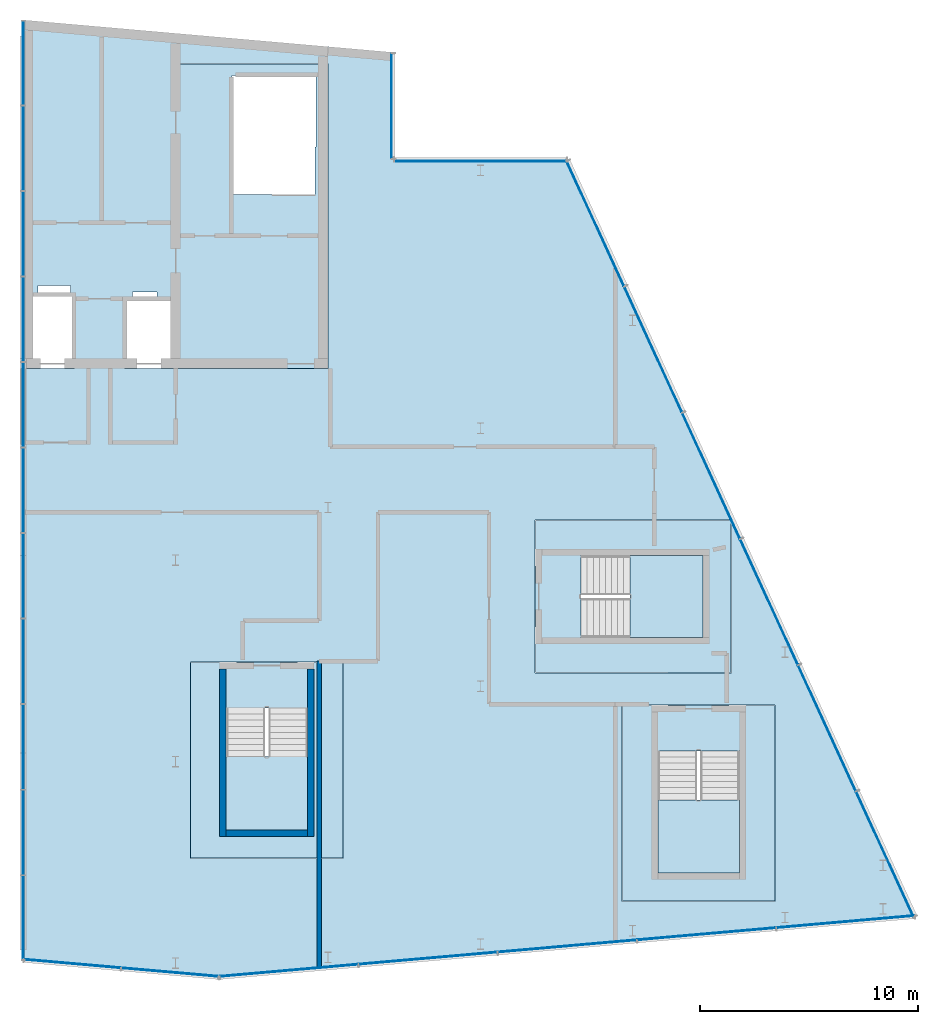
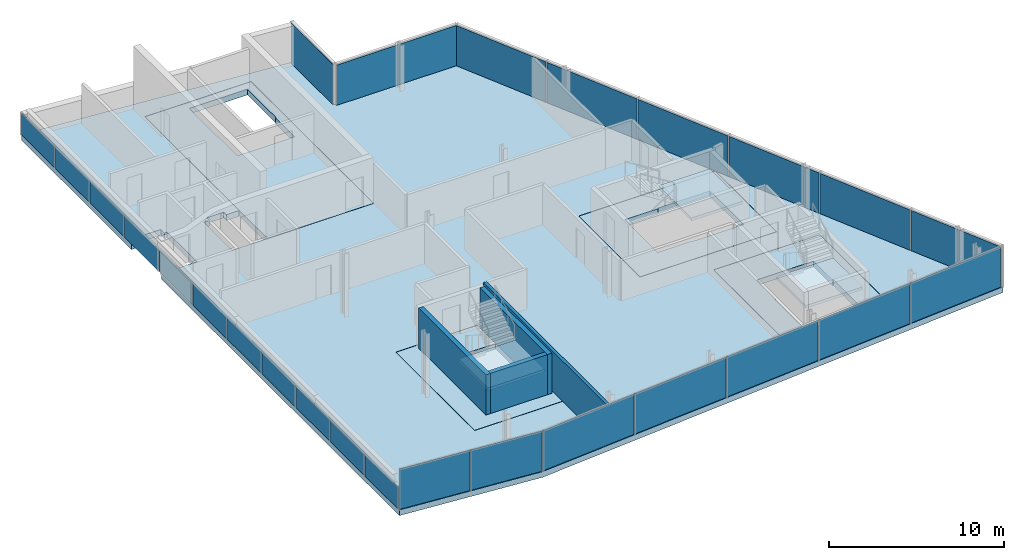
# One storey, part 7 of 10: 26 plates, 8 slabs, 4 walls, 9 elements without a shape of their own.
"""IFC4 building model written with IfcOpenShell, lengths in metres."""

from ifc_helpers import new_model, si_unit, direction, frame, frame_2d, origin, origin_2d, place, context, subcontext, project, spatial, polyline, rectangle, outline, extrude, material, layer, layer_set, type_object, element, aggregate, save


model = new_model("IFC4")

# Units and contexts
model_context = context("Model", 3, precision=1e-05, world=origin(), true_north=direction((0.0, 1.0)))
body_context = subcontext(model_context, "Body", "Model", "MODEL_VIEW")
ifc_project = project(units=[si_unit("LENGTHUNIT", "METRE"), si_unit("AREAUNIT", "SQUARE_METRE"), si_unit("VOLUMEUNIT", "CUBIC_METRE"), si_unit("PLANEANGLEUNIT", "RADIAN"), si_unit("MASSUNIT", "GRAM", prefix="KILO")], contexts=[model_context])

# Site, building, storey
site_placement = place(None, origin())
site = spatial("IfcSite", under=ifc_project, at=site_placement, CompositionType="ELEMENT")
building_placement = place(site_placement, origin())
building = spatial("IfcBuilding", under=site, at=building_placement, Name="Wharfspan Tower", CompositionType="ELEMENT")
storey_placement = place(building_placement, frame((0.0, 0.0, 267.5)))
storey = spatial("IfcBuildingStorey", under=building, at=storey_placement, Name="L68", CompositionType="ELEMENT", Elevation=267.5)

# Curtain wall, plates
ifc_material_1 = material(Name="Aluminium 6063-T6", Category="aluminium")
curtain_wall_type_1 = type_object("IfcCurtainWallType", Name="CURTAIN WALL CROWN GABLE", PredefinedType="NOTDEFINED", material=ifc_material_1)
curtain_wall_1_placement = place(storey_placement, origin())
curtain_wall_1 = element("IfcCurtainWall", 1, at=curtain_wall_1_placement, inside=storey, type_object=curtain_wall_type_1, Name="Crown gable glazing", PredefinedType="NOTDEFINED")
ifc_material_2 = material(Name="Glass clear low-iron double glazing", Category="glass")
ifc_layer_1 = layer(ifc_material_2, 0.035889)
ifc_layer_set_1 = layer_set([ifc_layer_1], Name="Glass clear low-iron double glazing")
plate_type_1 = type_object("IfcPlateType", Name="GLASS PANEL CROWN GABLE 36", PredefinedType="CURTAIN_PANEL", material=ifc_layer_set_1)
plate_1_placement = place(storey_placement, frame((37.0, 8.767578, 0.0), z_axis=(0.0, 0.0, 1.0), x_axis=(0.0, 1.0, 0.0)))
plate_1 = element("IfcPlate", 2, at=plate_1_placement, type_object=plate_type_1, Name="Crown gable glazing panel 1", PredefinedType="CURTAIN_PANEL", context=body_context, shape_type="SweptSolid", body=[
    extrude(rectangle(XDim=3.8396, YDim=0.035889, at=origin_2d()), origin(), (0.0, 0.0, 1.0), 1.546875),
])
plate_2_placement = place(storey_placement, frame((37.0, 12.682129, 0.0), z_axis=(0.0, 0.0, 1.0), x_axis=(0.0, 1.0, 0.0)))
plate_2 = element("IfcPlate", 3, at=plate_2_placement, type_object=plate_type_1, Name="Crown gable glazing panel 2", PredefinedType="CURTAIN_PANEL", context=body_context, shape_type="SweptSolid", body=[
    extrude(rectangle(XDim=3.869385, YDim=0.035889, at=origin_2d()), origin(), (0.0, 0.0, 1.0), 1.546875),
])
plate_3_placement = place(storey_placement, frame((37.0, 16.611572, 0.0), z_axis=(0.0, 0.0, 1.0), x_axis=(0.0, 1.0, 0.0)))
plate_3 = element("IfcPlate", 4, at=plate_3_placement, type_object=plate_type_1, Name="Crown gable glazing panel 3", PredefinedType="CURTAIN_PANEL", context=body_context, shape_type="SweptSolid", body=[
    extrude(rectangle(XDim=3.869385, YDim=0.035889, at=origin_2d()), origin(), (0.0, 0.0, 1.0), 1.546875),
])
plate_4_placement = place(storey_placement, frame((37.0, 20.541016, 0.0), z_axis=(0.0, 0.0, 1.0), x_axis=(0.0, 1.0, 0.0)))
plate_4 = element("IfcPlate", 5, at=plate_4_placement, type_object=plate_type_1, Name="Crown gable glazing panel 4", PredefinedType="CURTAIN_PANEL", context=body_context, shape_type="SweptSolid", body=[
    extrude(rectangle(XDim=3.869385, YDim=0.035889, at=origin_2d()), origin(), (0.0, 0.0, 1.0), 1.546875),
])
plate_5_placement = place(storey_placement, frame((37.0, 24.470459, 0.0), z_axis=(0.0, 0.0, 1.0), x_axis=(0.0, 1.0, 0.0)))
plate_5 = element("IfcPlate", 6, at=plate_5_placement, type_object=plate_type_1, Name="Crown gable glazing panel 5", PredefinedType="CURTAIN_PANEL", context=body_context, shape_type="SweptSolid", body=[
    extrude(rectangle(XDim=3.869385, YDim=0.035889, at=origin_2d()), origin(), (0.0, 0.0, 1.0), 1.546875),
])
plate_6_placement = place(storey_placement, frame((37.0, 28.399902, 0.0), z_axis=(0.0, 0.0, 1.0), x_axis=(0.0, 1.0, 0.0)))
plate_6 = element("IfcPlate", 7, at=plate_6_placement, type_object=plate_type_1, Name="Crown gable glazing panel 6", PredefinedType="CURTAIN_PANEL", context=body_context, shape_type="SweptSolid", body=[
    extrude(rectangle(XDim=3.869385, YDim=0.035889, at=origin_2d()), origin(), (0.0, 0.0, 1.0), 1.546875),
])
plate_7_placement = place(storey_placement, frame((37.0, 32.32959, 0.0), z_axis=(0.0, 0.0, 1.0), x_axis=(0.0, 1.0, 0.0)))
plate_7 = element("IfcPlate", 8, at=plate_7_placement, type_object=plate_type_1, Name="Crown gable glazing panel 7", PredefinedType="CURTAIN_PANEL", context=body_context, shape_type="SweptSolid", body=[
    extrude(rectangle(XDim=3.869385, YDim=0.035889, at=origin_2d()), origin(), (0.0, 0.0, 1.0), 1.546875),
])
plate_8_placement = place(storey_placement, frame((37.0, 36.259033, 0.0), z_axis=(0.0, 0.0, 1.0), x_axis=(0.0, 1.0, 0.0)))
plate_8 = element("IfcPlate", 9, at=plate_8_placement, type_object=plate_type_1, Name="Crown gable glazing panel 8", PredefinedType="CURTAIN_PANEL", context=body_context, shape_type="SweptSolid", body=[
    extrude(rectangle(XDim=3.869385, YDim=0.035889, at=origin_2d()), origin(), (0.0, 0.0, 1.0), 1.546875),
])
plate_9_placement = place(storey_placement, frame((37.0, 40.188477, 0.0), z_axis=(0.0, 0.0, 1.0), x_axis=(0.0, 1.0, 0.0)))
plate_9 = element("IfcPlate", 10, at=plate_9_placement, type_object=plate_type_1, Name="Crown gable glazing panel 9", PredefinedType="CURTAIN_PANEL", context=body_context, shape_type="SweptSolid", body=[
    extrude(rectangle(XDim=3.869385, YDim=0.035889, at=origin_2d()), origin(), (0.0, 0.0, 1.0), 1.546875),
])
plate_10_placement = place(storey_placement, frame((37.0, 44.11792, 0.0), z_axis=(0.0, 0.0, 1.0), x_axis=(0.0, 1.0, 0.0)))
plate_10 = element("IfcPlate", 11, at=plate_10_placement, type_object=plate_type_1, Name="Crown gable glazing panel 10", PredefinedType="CURTAIN_PANEL", context=body_context, shape_type="SweptSolid", body=[
    extrude(rectangle(XDim=3.869385, YDim=0.035889, at=origin_2d()), origin(), (0.0, 0.0, 1.0), 1.546875),
])
plate_11_placement = place(storey_placement, frame((37.0, 48.032471, 0.0), z_axis=(0.0, 0.0, 1.0), x_axis=(0.0, 1.0, 0.0)))
plate_11 = element("IfcPlate", 12, at=plate_11_placement, type_object=plate_type_1, Name="Crown gable glazing panel 11", PredefinedType="CURTAIN_PANEL", context=body_context, shape_type="SweptSolid", body=[
    extrude(rectangle(XDim=3.8396, YDim=0.035889, at=origin_2d()), origin(), (0.0, 0.0, 1.0), 1.546875),
])
aggregate(curtain_wall_1, [plate_1, plate_2, plate_3, plate_4, plate_5, plate_6, plate_7, plate_8, plate_9, plate_10, plate_11])

curtain_wall_type_2 = type_object("IfcCurtainWallType", Name="CURTAIN WALL FACETED FRONT", PredefinedType="NOTDEFINED", material=ifc_material_1)
curtain_wall_2_placement = place(storey_placement, origin())
curtain_wall_2 = element("IfcCurtainWall", 13, at=curtain_wall_2_placement, inside=storey, type_object=curtain_wall_type_2, Name="Crown curtain wall S1", PredefinedType="NOTDEFINED")
ifc_layer_2 = layer(ifc_material_2, 0.040039)
ifc_layer_set_2 = layer_set([ifc_layer_2], Name="Glass clear low-iron double glazing")
plate_type_2 = type_object("IfcPlateType", Name="GLASS PANEL FACETED FRONT 40", PredefinedType="CURTAIN_PANEL", material=ifc_layer_set_2)
plate_12_placement = place(storey_placement, frame((39.255127, 6.650635, 0.0), z_axis=(0.0, 0.0, 1.0), x_axis=(0.996198, -0.087156, 0.0)))
plate_12 = element("IfcPlate", 14, at=plate_12_placement, type_object=plate_type_2, Name="Crown curtain wall S1 panel 1", PredefinedType="CURTAIN_PANEL", context=body_context, shape_type="SweptSolid", body=[
    extrude(rectangle(XDim=4.437256, YDim=0.040039, at=origin_2d()), origin(), (0.0, 0.0, 1.0), 2.8125),
])
plate_13_placement = place(storey_placement, frame((43.735352, 6.258789, 0.0), z_axis=(0.0, 0.0, 1.0), x_axis=(0.996198, -0.087156, 0.0)))
plate_13 = element("IfcPlate", 15, at=plate_13_placement, type_object=plate_type_2, Name="Crown curtain wall S1 panel 2", PredefinedType="CURTAIN_PANEL", context=body_context, shape_type="SweptSolid", body=[
    extrude(rectangle(XDim=4.437256, YDim=0.040039, at=origin_2d()), origin(), (0.0, 0.0, 1.0), 2.8125),
])
aggregate(curtain_wall_2, [plate_12, plate_13])

curtain_wall_3_placement = place(storey_placement, origin())
curtain_wall_3 = element("IfcCurtainWall", 16, at=curtain_wall_3_placement, inside=storey, type_object=curtain_wall_type_2, Name="Crown curtain wall S2", PredefinedType="NOTDEFINED")
plate_14_placement = place(storey_placement, frame((49.209717, 6.341309, 0.0), z_axis=(0.0, 0.0, 1.0), x_axis=(0.996198, 0.087156, 0.0)))
plate_14 = element("IfcPlate", 17, at=plate_14_placement, type_object=plate_type_2, Name="Crown curtain wall S2 panel 1", PredefinedType="CURTAIN_PANEL", context=body_context, shape_type="SweptSolid", body=[
    extrude(rectangle(XDim=6.334473, YDim=0.040039, at=origin_2d()), origin(), (0.0, 0.0, 1.0), 2.8125),
])
plate_15_placement = place(storey_placement, frame((55.594727, 6.900146, 0.0), z_axis=(0.0, 0.0, 1.0), x_axis=(0.996198, 0.087156, 0.0)))
plate_15 = element("IfcPlate", 18, at=plate_15_placement, type_object=plate_type_2, Name="Crown curtain wall S2 panel 2", PredefinedType="CURTAIN_PANEL", context=body_context, shape_type="SweptSolid", body=[
    extrude(rectangle(XDim=6.364502, YDim=0.040039, at=origin_2d()), origin(), (0.0, 0.0, 1.0), 2.8125),
])
plate_16_placement = place(storey_placement, frame((61.994873, 7.459961, 0.0), z_axis=(0.0, 0.0, 1.0), x_axis=(0.996198, 0.087156, 0.0)))
plate_16 = element("IfcPlate", 19, at=plate_16_placement, type_object=plate_type_2, Name="Crown curtain wall S2 panel 3", PredefinedType="CURTAIN_PANEL", context=body_context, shape_type="SweptSolid", body=[
    extrude(rectangle(XDim=6.364502, YDim=0.040039, at=origin_2d()), origin(), (0.0, 0.0, 1.0), 2.8125),
])
plate_17_placement = place(storey_placement, frame((68.394775, 8.019775, 0.0), z_axis=(0.0, 0.0, 1.0), x_axis=(0.996198, 0.087156, 0.0)))
plate_17 = element("IfcPlate", 20, at=plate_17_placement, type_object=plate_type_2, Name="Crown curtain wall S2 panel 4", PredefinedType="CURTAIN_PANEL", context=body_context, shape_type="SweptSolid", body=[
    extrude(rectangle(XDim=6.364502, YDim=0.040039, at=origin_2d()), origin(), (0.0, 0.0, 1.0), 2.8125),
])
plate_18_placement = place(storey_placement, frame((74.779785, 8.578613, 0.0), z_axis=(0.0, 0.0, 1.0), x_axis=(0.996198, 0.087156, 0.0)))
plate_18 = element("IfcPlate", 21, at=plate_18_placement, type_object=plate_type_2, Name="Crown curtain wall S2 panel 5", PredefinedType="CURTAIN_PANEL", context=body_context, shape_type="SweptSolid", body=[
    extrude(rectangle(XDim=6.334473, YDim=0.040039, at=origin_2d()), origin(), (0.0, 0.0, 1.0), 2.8125),
])
aggregate(curtain_wall_3, [plate_14, plate_15, plate_16, plate_17, plate_18])

curtain_wall_type_3 = type_object("IfcCurtainWallType", Name="CURTAIN WALL PROW AND END", PredefinedType="NOTDEFINED", material=ifc_material_1)
curtain_wall_4_placement = place(storey_placement, origin())
curtain_wall_4 = element("IfcCurtainWall", 22, at=curtain_wall_4_placement, inside=storey, type_object=curtain_wall_type_3, Name="Crown curtain wall E", PredefinedType="NOTDEFINED")
ifc_layer_3 = layer(ifc_material_2, 0.040039)
ifc_layer_set_3 = layer_set([ifc_layer_3], Name="Glass clear low-iron double glazing")
plate_type_3 = type_object("IfcPlateType", Name="GLASS PANEL PROW AND END 40", PredefinedType="CURTAIN_PANEL", material=ifc_layer_set_3)
plate_19_placement = place(storey_placement, frame((76.589355, 11.680176, 0.0), z_axis=(0.0, 0.0, 1.0), x_axis=(-0.417292, 0.908769, 0.0)))
plate_19 = element("IfcPlate", 23, at=plate_19_placement, type_object=plate_type_3, Name="Crown curtain wall E panel 1", PredefinedType="CURTAIN_PANEL", context=body_context, shape_type="SweptSolid", body=[
    extrude(rectangle(XDim=6.292236, YDim=0.040039, at=origin_2d()), origin(), (0.0, 0.0, 1.0), 2.8125),
])
plate_20_placement = place(storey_placement, frame((73.932373, 17.466553, 0.0), z_axis=(0.0, 0.0, 1.0), x_axis=(-0.417292, 0.908769, 0.0)))
plate_20 = element("IfcPlate", 24, at=plate_20_placement, type_object=plate_type_3, Name="Crown curtain wall E panel 2", PredefinedType="CURTAIN_PANEL", context=body_context, shape_type="SweptSolid", body=[
    extrude(rectangle(XDim=6.322266, YDim=0.040039, at=origin_2d()), origin(), (0.0, 0.0, 1.0), 2.8125),
])
plate_21_placement = place(storey_placement, frame((71.269043, 23.266602, 0.0), z_axis=(0.0, 0.0, 1.0), x_axis=(-0.417292, 0.908769, 0.0)))
plate_21 = element("IfcPlate", 25, at=plate_21_placement, type_object=plate_type_3, Name="Crown curtain wall E panel 3", PredefinedType="CURTAIN_PANEL", context=body_context, shape_type="SweptSolid", body=[
    extrude(rectangle(XDim=6.322266, YDim=0.040039, at=origin_2d()), origin(), (0.0, 0.0, 1.0), 2.8125),
])
plate_22_placement = place(storey_placement, frame((68.605957, 29.06665, 0.0), z_axis=(0.0, 0.0, 1.0), x_axis=(-0.417292, 0.908769, 0.0)))
plate_22 = element("IfcPlate", 26, at=plate_22_placement, type_object=plate_type_3, Name="Crown curtain wall E panel 4", PredefinedType="CURTAIN_PANEL", context=body_context, shape_type="SweptSolid", body=[
    extrude(rectangle(XDim=6.322266, YDim=0.040039, at=origin_2d()), origin(), (0.0, 0.0, 1.0), 2.8125),
])
plate_23_placement = place(storey_placement, frame((65.942627, 34.866699, 0.0), z_axis=(0.0, 0.0, 1.0), x_axis=(-0.417292, 0.908769, 0.0)))
plate_23 = element("IfcPlate", 27, at=plate_23_placement, type_object=plate_type_3, Name="Crown curtain wall E panel 5", PredefinedType="CURTAIN_PANEL", context=body_context, shape_type="SweptSolid", body=[
    extrude(rectangle(XDim=6.322266, YDim=0.040039, at=origin_2d()), origin(), (0.0, 0.0, 1.0), 2.8125),
])
plate_24_placement = place(storey_placement, frame((63.285645, 40.653076, 0.0), z_axis=(0.0, 0.0, 1.0), x_axis=(-0.417292, 0.908769, 0.0)))
plate_24 = element("IfcPlate", 28, at=plate_24_placement, type_object=plate_type_3, Name="Crown curtain wall E panel 6", PredefinedType="CURTAIN_PANEL", context=body_context, shape_type="SweptSolid", body=[
    extrude(rectangle(XDim=6.292236, YDim=0.040039, at=origin_2d()), origin(), (0.0, 0.0, 1.0), 2.8125),
])
aggregate(curtain_wall_4, [plate_19, plate_20, plate_21, plate_22, plate_23, plate_24])

# Curtain wall, plate
curtain_wall_5_placement = place(storey_placement, origin())
curtain_wall_5 = element("IfcCurtainWall", 29, at=curtain_wall_5_placement, inside=storey, type_object=curtain_wall_type_3, Name="Crown curtain wall NRE-H", PredefinedType="NOTDEFINED")
plate_25_placement = place(storey_placement, frame((58.010254, 43.52002, 0.0), z_axis=(0.0, 0.0, 1.0), x_axis=(-1.0, 0.0, 0.0)))
plate_25 = element("IfcPlate", 30, at=plate_25_placement, type_object=plate_type_3, Name="Crown curtain wall NRE-H panel 1", PredefinedType="CURTAIN_PANEL", context=body_context, shape_type="SweptSolid", body=[
    extrude(rectangle(XDim=7.900391, YDim=0.040039, at=origin_2d()), origin(), (0.0, 0.0, 1.0), 2.8125),
])
aggregate(curtain_wall_5, [plate_25])

curtain_wall_6_placement = place(storey_placement, origin())
curtain_wall_6 = element("IfcCurtainWall", 31, at=curtain_wall_6_placement, inside=storey, type_object=curtain_wall_type_3, Name="Crown curtain wall NRE-V", PredefinedType="NOTDEFINED")
plate_26_placement = place(storey_placement, frame((53.919922, 46.0625, 0.0), z_axis=(0.0, 0.0, 1.0), x_axis=(0.0, 1.0, 0.0)))
plate_26 = element("IfcPlate", 32, at=plate_26_placement, type_object=plate_type_3, Name="Crown curtain wall NRE-V panel 1", PredefinedType="CURTAIN_PANEL", context=body_context, shape_type="SweptSolid", body=[
    extrude(rectangle(XDim=4.804932, YDim=0.040039, at=origin_2d()), origin(), (0.0, 0.0, 1.0), 2.8125),
])
aggregate(curtain_wall_6, [plate_26])

# Slabs
ifc_material_3 = material(Name="Concrete C40/50", Category="concrete")
ifc_layer_4 = layer(ifc_material_3, 0.399902)
ifc_layer_set_4 = layer_set([ifc_layer_4], Name="Concrete C40/50")
slab_type_1 = type_object("IfcSlabType", Name="Post-tensioned flat slab 400", PredefinedType="FLOOR", material=ifc_layer_set_4)
slab_1_placement = place(storey_placement, frame((0.0, 0.0, -0.400146)))
element("IfcSlab", 33, at=slab_1_placement, inside=storey, type_object=slab_type_1, Name="Floor slab L68", PredefinedType="FLOOR", context=body_context, shape_type="SweptSolid", body=[
    extrude(outline(polyline([(54.0, 48.524902), (37.0, 50.012207), (37.0, 37.409912), (37.666748, 37.409912), (37.666748, 37.810059), (39.166748, 37.810059), (39.166748, 37.409912), (39.343262, 37.409912), (39.343262, 33.98999), (37.0, 33.98999), (37.0, 6.787842), (46.0, 6.000488), (78.0, 8.800049), (62.020508, 43.600098), (54.0, 43.600098), (54.0, 48.524902)]), holes=[polyline([(64.521484, 18.531738), (71.541504, 18.531738), (71.541504, 9.511719), (64.521484, 9.511719), (64.521484, 18.531738)]), polyline([(69.541504, 27.031738), (69.541504, 20.011719), (60.521484, 20.011719), (60.521484, 27.031738), (69.541504, 27.031738)]), polyline([(51.701172, 20.510498), (51.701172, 11.490479), (44.681152, 11.490479), (44.681152, 20.510498), (51.701172, 20.510498)]), polyline([(42.023193, 37.51001), (43.143311, 37.51001), (43.143311, 37.209961), (43.98999, 37.209961), (43.98999, 48.01001), (51.01001, 48.01001), (51.01001, 33.98999), (41.656738, 33.98999), (41.656738, 37.209961), (42.023193, 37.209961), (42.023193, 37.51001)])]), origin(), (0.0, 0.0, 1.0), 0.400146),
])
slab_2_placement = place(storey_placement, frame((0.0, 0.0, -0.400146)))
element("IfcSlab", 34, at=slab_2_placement, inside=storey, type_object=slab_type_1, Name="Core floor slab L68 part 1", PredefinedType="FLOOR", context=body_context, shape_type="SweptSolid", body=[
    extrude(outline(polyline([(51.0, 34.0), (51.0, 48.0), (44.0, 48.0), (44.0, 37.201904), (44.000244, 37.201904), (44.000488, 37.201904), (44.000488, 37.201904), (44.000732, 37.201904), (44.000977, 37.201904), (44.001221, 37.20166), (44.001221, 37.201416), (44.001465, 37.201416), (44.001465, 37.201416), (44.001709, 37.201172), (44.001709, 37.200928), (44.001709, 37.200684), (44.001953, 37.200684), (44.001953, 37.200439), (44.001953, 37.200195), (44.001953, 37.199951), (44.001953, 34.0), (51.0, 34.0)]), holes=[polyline([(50.4021, 42.0), (50.4021, 41.999756), (50.4021, 41.999512), (50.401855, 41.999512), (50.401855, 41.999268), (50.401855, 41.999023), (50.401611, 41.998779), (50.401611, 41.998779), (50.401367, 41.998535), (50.401367, 41.998535), (50.401123, 41.998291), (50.400879, 41.998291), (50.400879, 41.998291), (50.400635, 41.998047), (50.400391, 41.998047), (50.400146, 41.998047), (50.399902, 41.998047), (46.649902, 41.998047), (46.649902, 41.998047), (46.649658, 41.998047), (46.649414, 41.998047), (46.64917, 41.998291), (46.64917, 41.998291), (46.648926, 41.998291), (46.648682, 41.998535), (46.648682, 41.998535), (46.648438, 41.998779), (46.648193, 41.998779), (46.648193, 41.999023), (46.648193, 41.999268), (46.648193, 41.999512), (46.647949, 41.999512), (46.647949, 41.999756), (46.647949, 42.0), (46.647949, 44.187988), (46.600098, 44.187988), (46.599854, 44.187988), (46.599609, 44.187988), (46.599365, 44.187988), (46.599121, 44.188232), (46.599121, 44.188232), (46.598877, 44.188232), (46.598633, 44.188477), (46.598633, 44.188721), (46.598389, 44.188721), (46.598389, 44.188965), (46.598145, 44.189209), (46.598145, 44.189209), (46.598145, 44.189453), (46.5979, 44.189697), (46.5979, 44.189697), (46.5979, 44.189941), (46.5979, 47.449951), (46.5979, 47.450195), (46.5979, 47.450439), (46.598145, 47.450684), (46.598145, 47.450684), (46.598145, 47.450928), (46.598389, 47.451172), (46.598389, 47.451416), (46.598633, 47.451416), (46.598633, 47.451416), (46.598877, 47.45166), (46.599121, 47.451904), (46.599121, 47.451904), (46.599365, 47.451904), (46.599609, 47.451904), (46.599854, 47.451904), (46.600098, 47.451904), (50.449951, 47.451904), (50.450195, 47.451904), (50.450439, 47.451904), (50.450684, 47.451904), (50.450684, 47.451904), (50.450928, 47.451904), (50.451172, 47.45166), (50.451416, 47.451416), (50.451416, 47.451416), (50.451416, 47.451416), (50.45166, 47.451172), (50.451904, 47.450928), (50.451904, 47.450684), (50.451904, 47.450684), (50.451904, 47.450439), (50.451904, 47.450195), (50.451904, 47.449951), (50.451904, 44.189941), (50.451904, 44.189697), (50.451904, 44.189697), (50.451904, 44.189453), (50.451904, 44.189209), (50.451904, 44.189209), (50.45166, 44.188965), (50.451416, 44.188721), (50.451416, 44.188721), (50.451416, 44.188477), (50.451172, 44.188232), (50.450928, 44.188232), (50.450684, 44.188232), (50.450684, 44.187988), (50.450439, 44.187988), (50.450195, 44.187988), (50.449951, 44.187988), (50.4021, 44.187988), (50.4021, 42.0)])]), origin(), (0.0, 0.0, 1.0), 0.400146),
])
slab_3_placement = place(storey_placement, frame((0.0, 0.0, -0.400146)))
element("IfcSlab", 35, at=slab_3_placement, inside=storey, type_object=slab_type_1, Name="Core floor slab L68 part 2", PredefinedType="FLOOR", context=body_context, shape_type="SweptSolid", body=[
    extrude(outline(polyline([(46.016113, 20.500488), (44.691162, 20.500488), (44.691162, 11.500488), (51.691162, 11.500488), (51.691162, 20.500488), (50.366211, 20.500488), (49.591064, 20.500488), (49.591064, 20.508301), (46.791016, 20.508301), (46.791016, 20.500488), (46.016113, 20.500488)]), holes=[polyline([(50.066162, 18.402344), (50.066406, 18.402344), (50.066406, 18.402344), (50.06665, 18.402344), (50.066895, 18.4021), (50.066895, 18.4021), (50.067139, 18.4021), (50.067383, 18.401855), (50.067383, 18.401855), (50.067627, 18.401611), (50.067627, 18.401611), (50.067871, 18.401367), (50.067871, 18.401123), (50.068115, 18.400879), (50.068115, 18.400879), (50.068115, 18.400635), (50.068115, 18.400391), (50.068115, 16.212402), (50.116211, 16.212402), (50.116211, 16.212402), (50.116455, 16.212402), (50.116699, 16.212402), (50.116699, 16.212158), (50.116943, 16.212158), (50.117188, 16.211914), (50.117188, 16.211914), (50.117432, 16.211914), (50.117676, 16.21167), (50.117676, 16.211426), (50.11792, 16.211182), (50.11792, 16.211182), (50.11792, 16.210938), (50.11792, 16.210693), (50.118164, 16.210693), (50.118164, 16.210449), (50.118164, 12.750488), (50.118164, 12.750244), (50.11792, 12.75), (50.11792, 12.749756), (50.11792, 12.749512), (50.11792, 12.749512), (50.117676, 12.749268), (50.117676, 12.749023), (50.117432, 12.748779), (50.117188, 12.748779), (50.117188, 12.748779), (50.116943, 12.748535), (50.116699, 12.748535), (50.116699, 12.748291), (50.116455, 12.748291), (50.116211, 12.748291), (50.116211, 12.748291), (46.266113, 12.748291), (46.265869, 12.748291), (46.265625, 12.748291), (46.265381, 12.748291), (46.265381, 12.748535), (46.265137, 12.748535), (46.264893, 12.748779), (46.264893, 12.748779), (46.264648, 12.748779), (46.264404, 12.749023), (46.264404, 12.749268), (46.264404, 12.749512), (46.26416, 12.749512), (46.26416, 12.749756), (46.26416, 12.75), (46.26416, 12.750244), (46.26416, 12.750488), (46.26416, 16.210449), (46.26416, 16.210693), (46.26416, 16.210693), (46.26416, 16.210938), (46.26416, 16.211182), (46.264404, 16.211182), (46.264404, 16.211426), (46.264404, 16.21167), (46.264648, 16.211914), (46.264893, 16.211914), (46.264893, 16.211914), (46.265137, 16.212158), (46.265381, 16.212158), (46.265381, 16.212402), (46.265625, 16.212402), (46.265869, 16.212402), (46.266113, 16.212402), (46.314209, 16.212402), (46.314209, 18.400391), (46.314209, 18.400635), (46.314209, 18.400879), (46.314209, 18.400879), (46.314209, 18.401123), (46.314209, 18.401367), (46.314453, 18.401611), (46.314453, 18.401611), (46.314697, 18.401855), (46.314697, 18.401855), (46.314941, 18.4021), (46.315186, 18.4021), (46.315186, 18.4021), (46.31543, 18.402344), (46.315674, 18.402344), (46.315918, 18.402344), (46.316162, 18.402344), (50.066162, 18.402344)])]), origin(), (0.0, 0.0, 1.0), 0.400146),
])
slab_4_placement = place(storey_placement, frame((0.0, 0.0, -0.400146)))
element("IfcSlab", 36, at=slab_4_placement, inside=storey, type_object=slab_type_1, Name="Core floor slab L68 part 3", PredefinedType="FLOOR", context=body_context, shape_type="SweptSolid", body=[
    extrude(outline(polyline([(66.631592, 20.013672), (69.431641, 20.013672), (69.431641, 20.021729), (69.531494, 20.021729), (69.531494, 27.021729), (60.531494, 27.021729), (60.531494, 25.696777), (60.531494, 24.921631), (60.523682, 24.921631), (60.523682, 22.121582), (60.531494, 22.121582), (60.531494, 21.34668), (60.531494, 20.021729), (66.631592, 20.021729), (66.631592, 20.013672)]), holes=[polyline([(64.81958, 25.446777), (64.81958, 25.447021), (64.81958, 25.447021), (64.81958, 25.447266), (64.819824, 25.44751), (64.819824, 25.447754), (64.820068, 25.447754), (64.820068, 25.447998), (64.820312, 25.447998), (64.820312, 25.448242), (64.820557, 25.448486), (64.820801, 25.448486), (64.820801, 25.448486), (64.821045, 25.448486), (64.821289, 25.44873), (64.821289, 25.44873), (64.821533, 25.44873), (68.281494, 25.44873), (68.281738, 25.44873), (68.281982, 25.44873), (68.282227, 25.448486), (68.282471, 25.448486), (68.282715, 25.448486), (68.282715, 25.448486), (68.282959, 25.448242), (68.282959, 25.447998), (68.283203, 25.447998), (68.283203, 25.447754), (68.283447, 25.447754), (68.283447, 25.44751), (68.283447, 25.447266), (68.283691, 25.447021), (68.283691, 25.447021), (68.283691, 25.446777), (68.283691, 21.59668), (68.283691, 21.596436), (68.283691, 21.596191), (68.283447, 21.596191), (68.283447, 21.595947), (68.283447, 21.595703), (68.283203, 21.595703), (68.283203, 21.595459), (68.282959, 21.595215), (68.282959, 21.595215), (68.282715, 21.595215), (68.282715, 21.594971), (68.282471, 21.594971), (68.282227, 21.594727), (68.281982, 21.594727), (68.281738, 21.594727), (68.281494, 21.594727), (64.821533, 21.594727), (64.821289, 21.594727), (64.821289, 21.594727), (64.821045, 21.594727), (64.820801, 21.594971), (64.820801, 21.594971), (64.820557, 21.595215), (64.820312, 21.595215), (64.820312, 21.595215), (64.820068, 21.595459), (64.820068, 21.595703), (64.819824, 21.595703), (64.819824, 21.595947), (64.81958, 21.596191), (64.81958, 21.596191), (64.81958, 21.596436), (64.81958, 21.59668), (64.81958, 21.644775), (62.631592, 21.644775), (62.631348, 21.644775), (62.631104, 21.644775), (62.631104, 21.644775), (62.630859, 21.64502), (62.630615, 21.64502), (62.630615, 21.64502), (62.630371, 21.645264), (62.630127, 21.645264), (62.630127, 21.645508), (62.629883, 21.645508), (62.629883, 21.645752), (62.629883, 21.645996), (62.629639, 21.645996), (62.629639, 21.64624), (62.629639, 21.646484), (62.629639, 21.646729), (62.629639, 25.396729), (62.629639, 25.396973), (62.629639, 25.397217), (62.629639, 25.397217), (62.629883, 25.397461), (62.629883, 25.397705), (62.629883, 25.397705), (62.630127, 25.397949), (62.630127, 25.398193), (62.630371, 25.398193), (62.630615, 25.398438), (62.630615, 25.398438), (62.630859, 25.398682), (62.631104, 25.398682), (62.631104, 25.398682), (62.631348, 25.398682), (62.631592, 25.398682), (64.81958, 25.398682), (64.81958, 25.446777)])]), origin(), (0.0, 0.0, 1.0), 0.400146),
])
slab_5_placement = place(storey_placement, frame((0.0, 0.0, -0.400146)))
element("IfcSlab", 37, at=slab_5_placement, inside=storey, type_object=slab_type_1, Name="Core floor slab L68 part 4", PredefinedType="FLOOR", context=body_context, shape_type="SweptSolid", body=[
    extrude(outline(polyline([(65.856689, 18.521729), (64.531494, 18.521729), (64.531494, 9.521729), (71.531494, 9.521729), (71.531494, 18.521729), (70.206543, 18.521729), (69.431641, 18.521729), (69.431641, 18.529785), (66.631592, 18.529785), (66.631592, 18.521729), (65.856689, 18.521729)]), holes=[polyline([(69.908691, 14.233643), (69.956543, 14.233643), (69.956787, 14.233643), (69.957031, 14.233643), (69.957275, 14.233643), (69.95752, 14.233643), (69.95752, 14.233398), (69.957764, 14.233398), (69.958008, 14.233398), (69.958008, 14.233154), (69.958252, 14.23291), (69.958252, 14.23291), (69.958496, 14.232666), (69.958496, 14.232422), (69.958496, 14.232422), (69.958496, 14.232178), (69.958496, 14.231934), (69.958496, 14.231689), (69.958496, 10.771729), (69.958496, 10.771484), (69.958496, 10.77124), (69.958496, 10.770996), (69.958496, 10.770996), (69.958496, 10.770752), (69.958252, 10.770508), (69.958252, 10.770508), (69.958008, 10.770264), (69.958008, 10.770264), (69.957764, 10.77002), (69.95752, 10.77002), (69.95752, 10.77002), (69.957275, 10.769775), (69.957031, 10.769775), (69.956787, 10.769775), (69.956543, 10.769775), (66.106689, 10.769775), (66.106445, 10.769775), (66.106201, 10.769775), (66.106201, 10.769775), (66.105957, 10.77002), (66.105713, 10.77002), (66.105469, 10.77002), (66.105469, 10.770264), (66.105225, 10.770264), (66.10498, 10.770508), (66.10498, 10.770508), (66.10498, 10.770752), (66.104736, 10.770996), (66.104736, 10.770996), (66.104736, 10.77124), (66.104492, 10.771484), (66.104492, 10.771729), (66.104492, 14.231689), (66.104492, 14.231934), (66.104736, 14.232178), (66.104736, 14.232422), (66.104736, 14.232422), (66.10498, 14.232666), (66.10498, 14.23291), (66.10498, 14.23291), (66.105225, 14.233154), (66.105469, 14.233398), (66.105469, 14.233398), (66.105713, 14.233398), (66.105957, 14.233643), (66.106201, 14.233643), (66.106201, 14.233643), (66.106445, 14.233643), (66.106689, 14.233643), (66.154541, 14.233643), (66.154541, 16.421631), (66.154541, 16.421875), (66.154785, 16.422119), (66.154785, 16.422363), (66.154785, 16.422607), (66.154785, 16.422607), (66.155029, 16.422852), (66.155029, 16.423096), (66.155273, 16.423096), (66.155518, 16.42334), (66.155518, 16.42334), (66.155762, 16.423584), (66.156006, 16.423584), (66.156006, 16.423584), (66.15625, 16.423584), (66.156494, 16.423584), (66.156494, 16.423584), (69.906494, 16.423584), (69.906738, 16.423584), (69.906982, 16.423584), (69.907227, 16.423584), (69.907471, 16.423584), (69.907715, 16.423584), (69.907715, 16.42334), (69.907959, 16.42334), (69.907959, 16.423096), (69.908203, 16.423096), (69.908203, 16.422852), (69.908447, 16.422607), (69.908447, 16.422607), (69.908447, 16.422363), (69.908691, 16.422119), (69.908691, 16.421875), (69.908691, 16.421631), (69.908691, 14.233643)])]), origin(), (0.0, 0.0, 1.0), 0.400146),
])

# Stair, slab
stair_type = type_object("IfcStairType", Name="Half-turn stair 18 risers 178 mm", PredefinedType="HALF_TURN_STAIR", material=ifc_material_3)
stair_1_placement = place(storey_placement, origin())
stair_1 = element("IfcStair", 38, at=stair_1_placement, inside=storey, type_object=stair_type, Name="L68 stair ST7", PredefinedType="HALF_TURN_STAIR")
ifc_layer_5 = layer(ifc_material_3, 0.199951)
ifc_layer_set_5 = layer_set([ifc_layer_5], Name="Concrete C40/50")
slab_type_2 = type_object("IfcSlabType", Name="Stair landing 200", PredefinedType="LANDING", material=ifc_layer_set_5)
slab_6_placement = place(storey_placement, frame((0.0, 0.0, 1.399902)))
slab_6 = element("IfcSlab", 39, at=slab_6_placement, type_object=slab_type_2, Name="ST7 landing 1", PredefinedType="LANDING", context=body_context, shape_type="SweptSolid", body=[
    extrude(outline(polyline([(66.156738, 14.181641), (66.156738, 10.821777), (69.906738, 10.821777), (69.906738, 14.181641), (66.156738, 14.181641)])), origin(), (0.0, 0.0, 1.0), 0.200195),
])
aggregate(stair_1, [slab_6])

stair_2_placement = place(storey_placement, origin())
stair_2 = element("IfcStair", 40, at=stair_2_placement, inside=storey, type_object=stair_type, Name="L68 stair ST8", PredefinedType="HALF_TURN_STAIR")
slab_7_placement = place(storey_placement, frame((0.0, 0.0, 1.399902)))
slab_7 = element("IfcSlab", 41, at=slab_7_placement, type_object=slab_type_2, Name="ST8 landing 1", PredefinedType="LANDING", context=body_context, shape_type="SweptSolid", body=[
    extrude(outline(polyline([(64.871582, 21.646729), (68.231689, 21.646729), (68.231689, 25.396729), (64.871582, 25.396729), (64.871582, 21.646729)])), origin(), (0.0, 0.0, 1.0), 0.200195),
])
aggregate(stair_2, [slab_7])

stair_3_placement = place(storey_placement, origin())
stair_3 = element("IfcStair", 42, at=stair_3_placement, inside=storey, type_object=stair_type, Name="L68 stair ST9", PredefinedType="HALF_TURN_STAIR")
slab_8_placement = place(storey_placement, frame((0.0, 0.0, 1.399902)))
slab_8 = element("IfcSlab", 43, at=slab_8_placement, type_object=slab_type_2, Name="ST9 landing 1", PredefinedType="LANDING", context=body_context, shape_type="SweptSolid", body=[
    extrude(outline(polyline([(46.316162, 16.1604), (46.316162, 12.800293), (50.066162, 12.800293), (50.066162, 16.1604), (46.316162, 16.1604)])), origin(), (0.0, 0.0, 1.0), 0.200195),
])
aggregate(stair_3, [slab_8])

# Walls
ifc_material_4 = material(Name="Calcium silicate masonry", Category="masonry")
ifc_layer_6 = layer(ifc_material_4, 0.199951)
ifc_layer_set_6 = layer_set([ifc_layer_6], Name="Calcium silicate masonry")
wall_type_1 = type_object("IfcWallType", Name="Core room wall 200", PredefinedType="PARTITIONING", material=ifc_layer_set_6)
wall_1_placement = place(storey_placement, frame((50.600098, 20.550293, 0.0), z_axis=(0.0, 0.0, 1.0), x_axis=(0.0, -1.0, 0.0)))
element("IfcWall", 44, at=wall_1_placement, inside=storey, type_object=wall_type_1, Name="cr:L68:w4", PredefinedType="PARTITIONING", context=body_context, shape_type="SweptSolid", body=[
    extrude(rectangle(XDim=14.047119, YDim=0.199951, at=frame_2d((7.023438, 0.0))), origin(), (0.0, 0.0, 1.0), 2.800049),
])
ifc_layer_7 = layer(ifc_material_3, 0.300049)
ifc_layer_set_7 = layer_set([ifc_layer_7], Name="Concrete C40/50")
wall_type_2 = type_object("IfcWallType", Name="Stair core wall 300", PredefinedType="SHEAR", material=ifc_layer_set_7)
for number, where, z_axis, x_axis, name in (
    (45, (46.166016, 12.500488, 0.0), (0.0, 0.0, 1.0), (0.0, 1.0, 0.0), "ST9 stair enclosure wall L68"),
    (46, (50.216064, 12.500488, 0.0), (0.0, 0.0, 1.0), (0.0, 1.0, 0.0), "ST9 stair enclosure wall L68"),
):
    element("IfcWall", number, at=place(storey_placement, frame(where, z_axis=z_axis, x_axis=x_axis)), inside=storey, type_object=wall_type_2, Name=name, PredefinedType="SHEAR", context=body_context, shape_type="SweptSolid", body=[
        extrude(rectangle(XDim=7.699951, YDim=0.300049, at=frame_2d((3.850098, 0.0))), origin(), (0.0, 0.0, 1.0), 2.800049),
    ])
wall_2_placement = place(storey_placement, frame((46.316162, 12.650391, 0.0), z_axis=(0.0, 0.0, 1.0), x_axis=(1.0, 0.0, 0.0)))
element("IfcWall", 47, at=wall_2_placement, inside=storey, type_object=wall_type_2, Name="ST9 stair enclosure wall L68", PredefinedType="SHEAR", context=body_context, shape_type="SweptSolid", body=[
    extrude(rectangle(XDim=3.75, YDim=0.300049, at=frame_2d((1.875, 0.0))), origin(), (0.0, 0.0, 1.0), 2.800049),
])

save(model, "model.ifc")
